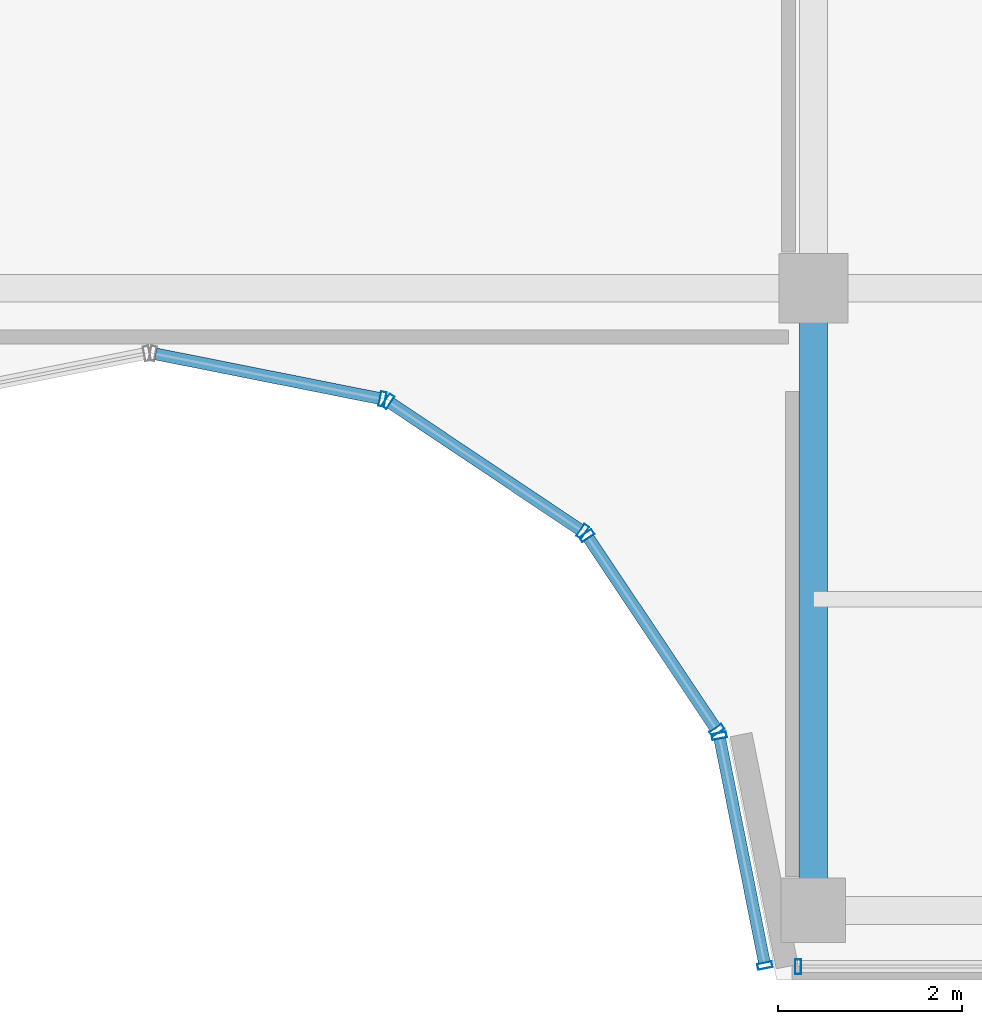
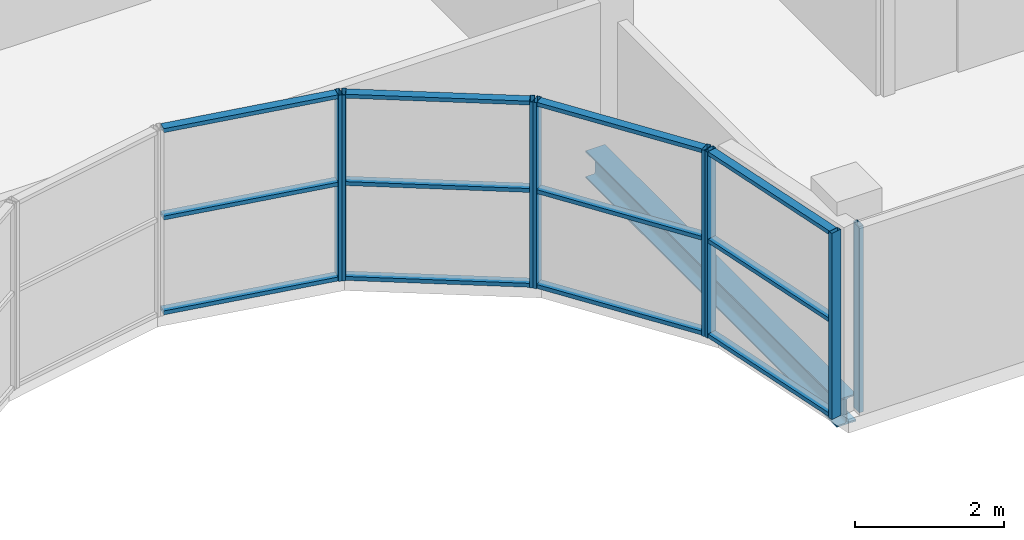
# One storey, part 7 of 28: 20 members, 1 beam, 5 elements without a shape of their own.
"""IFC4 building model written with IfcOpenShell, lengths in metres."""

import ifcopenshell
import ifcopenshell.guid

model = None  # the IFC model being written
_history = None  # IfcOwnerHistory: only IFC2X3 demands one
_inside = {}  # id of a spatial element -> (the spatial element, [elements in it])
_under = {}  # id of a project, library or spatial element -> (it, [spatial elements below it])
_declared = {}  # id of a project -> (the project, [libraries it declares])
_typed = {}  # id of a type object -> (the type object, [elements of that type])
_made_of = {}  # id of a material, layer set ... -> (it, [elements and type objects made of it])


def new_model(schema):
    """Start an empty IFC model of exactly this schema.

    Asked for "IFC4X3", IfcOpenShell would pick the latest addendum, in which some entities
    have other attributes; the version numbers below select the first issue.
    IFC2X3 requires an IfcOwnerHistory on every rooted entity: one is made here for all.
    """
    global model, _history
    if schema == "IFC4X3":
        model = ifcopenshell.file(schema_version=(4, 3, 0, 0))
    else:
        model = ifcopenshell.file(schema=schema)
    _inside.clear()
    _under.clear()
    _declared.clear()
    _typed.clear()
    _made_of.clear()
    _history = None
    if model.schema == "IFC2X3":
        org = make("IfcOrganization", Name="unknown")
        user = make(
            "IfcPersonAndOrganization",
            ThePerson=make("IfcPerson", FamilyName="unknown"),
            TheOrganization=org,
        )
        app = make(
            "IfcApplication",
            ApplicationDeveloper=org,
            Version="unknown",
            ApplicationFullName="unknown",
            ApplicationIdentifier="unknown",
        )
        _history = make(
            "IfcOwnerHistory",
            OwningUser=user,
            OwningApplication=app,
            ChangeAction="ADDED",
            CreationDate=0,
        )
    return model


def make(cls, **values):
    """One entity of the class cls with the attributes given. An attribute that is None is left unset."""
    return model.create_entity(
        cls, **{name: value for name, value in values.items() if value is not None}
    )


def rooted(cls, **values):
    """An entity with a GlobalId (a new one), such as an element, a storey or a relation."""
    return make(cls, GlobalId=ifcopenshell.guid.new(), OwnerHistory=_history, **values)


def si_unit(unit_type, name, prefix=None):
    """IfcSIUnit, for example si_unit("LENGTHUNIT", "METRE", prefix="MILLI")."""
    return make("IfcSIUnit", UnitType=unit_type, Prefix=prefix, Name=name)


def assignment(units):
    """IfcUnitAssignment: the units of a project."""
    return None if units is None else make("IfcUnitAssignment", Units=units)


def point(xyz):
    """IfcCartesianPoint."""
    return None if xyz is None else make("IfcCartesianPoint", Coordinates=xyz)


def direction(xyz):
    """IfcDirection."""
    return None if xyz is None else make("IfcDirection", DirectionRatios=xyz)


def frame(location, z_axis=None, x_axis=None):
    """IfcAxis2Placement3D, a coordinate frame: its origin and axes. An axis left out is left unset."""
    return make(
        "IfcAxis2Placement3D",
        Location=point(location),
        Axis=direction(z_axis),
        RefDirection=direction(x_axis),
    )


def frame_2d(location, x_axis=None):
    """IfcAxis2Placement2D, a coordinate frame in the plane: its origin and x axis."""
    return make(
        "IfcAxis2Placement2D", Location=point(location), RefDirection=direction(x_axis)
    )


def origin():
    """The frame at (0, 0, 0) with its axes left unset."""
    return frame((0.0, 0.0, 0.0))


def origin_2d():
    """The frame at (0, 0) in the plane with its x axis left unset."""
    return frame_2d((0.0, 0.0))


def place(relative_to, where):
    """IfcLocalPlacement: puts the frame where relative to a parent placement (None: the world)."""
    return make(
        "IfcLocalPlacement", PlacementRelTo=relative_to, RelativePlacement=where
    )


def context(
    kind, dimensions, precision=None, world=None, true_north=None, identifier=None
):
    """IfcGeometricRepresentationContext, for example the 3D "Model" context."""
    return make(
        "IfcGeometricRepresentationContext",
        ContextIdentifier=identifier,
        ContextType=kind,
        CoordinateSpaceDimension=dimensions,
        Precision=precision,
        WorldCoordinateSystem=world,
        TrueNorth=true_north,
    )


def subcontext(parent, identifier, kind, view, scale=None):
    """IfcGeometricRepresentationSubContext, for example "Body" below "Model"."""
    return make(
        "IfcGeometricRepresentationSubContext",
        ContextIdentifier=identifier,
        ContextType=kind,
        ParentContext=parent,
        TargetScale=scale,
        TargetView=view,
    )


def project(units=None, contexts=None):
    """IfcProject with its units and contexts."""
    return rooted(
        "IfcProject",
        Name="project",
        RepresentationContexts=contexts,
        UnitsInContext=assignment(units),
    )


def spatial(cls, under=None, at=None, **own):
    """A site, building, storey or space (cls), placed at a placement, below another one or the project."""
    s = rooted(cls, ObjectPlacement=at, **own)
    if under is not None:
        _under.setdefault(under.id(), (under, []))[1].append(s)
    return s


def profile(cls, at=None, kind="AREA", **sizes):
    """A parametric profile (cls). Its sizes go by their IFC names, for example OverallWidth=200.0."""
    return make(cls, ProfileType=kind, Position=at, **sizes)


def hollow_rectangle(**sizes):
    """IfcRectangleHollowProfileDef."""
    return profile("IfcRectangleHollowProfileDef", **sizes)


def i_section(**sizes):
    """IfcIShapeProfileDef."""
    return profile("IfcIShapeProfileDef", **sizes)


def extrude(swept, where, along, depth):
    """IfcExtrudedAreaSolid: the profile swept, set in the frame where, extruded along a direction by depth."""
    return make(
        "IfcExtrudedAreaSolid",
        SweptArea=swept,
        Position=where,
        ExtrudedDirection=direction(along),
        Depth=depth,
    )


def shape(context_of_items, identifier, shape_type, items):
    """IfcShapeRepresentation: the items that make up one representation, for example the "Body"."""
    return make(
        "IfcShapeRepresentation",
        ContextOfItems=context_of_items,
        RepresentationIdentifier=identifier,
        RepresentationType=shape_type,
        Items=items,
    )


def source(mapping_origin, context_of_items, identifier, shape_type, items):
    """IfcRepresentationMap: a shape defined once, which mapped items show again and again."""
    return make(
        "IfcRepresentationMap",
        MappingOrigin=mapping_origin,
        MappedRepresentation=shape(context_of_items, identifier, shape_type, items),
    )


def transform(
    local_origin,
    x_axis=None,
    y_axis=None,
    z_axis=None,
    scale=None,
    scale2=None,
    scale3=None,
    uniform=True,
):
    """IfcCartesianTransformationOperator3D, or its non-uniform kind. x_axis, y_axis, z_axis: its Axis1, 2, 3."""
    if uniform:
        return make(
            "IfcCartesianTransformationOperator3D",
            Axis1=direction(x_axis),
            Axis2=direction(y_axis),
            LocalOrigin=point(local_origin),
            Scale=scale,
            Axis3=direction(z_axis),
        )
    return make(
        "IfcCartesianTransformationOperator3DnonUniform",
        Axis1=direction(x_axis),
        Axis2=direction(y_axis),
        LocalOrigin=point(local_origin),
        Scale=scale,
        Axis3=direction(z_axis),
        Scale2=scale2,
        Scale3=scale3,
    )


def mapped(mapping_source, mapping_target):
    """IfcMappedItem: shows the shape of a source again, moved by a transform."""
    return make(
        "IfcMappedItem", MappingSource=mapping_source, MappingTarget=mapping_target
    )


def material(Name=None, Category=None):
    """IfcMaterial."""
    return make("IfcMaterial", Name=Name, Category=Category)


def layer(
    of_material, thickness, ventilated=None, Name=None, Category=None, Priority=None
):
    """IfcMaterialLayer: one layer of a wall or slab, of a material (None: an air gap)."""
    return make(
        "IfcMaterialLayer",
        Material=of_material,
        LayerThickness=thickness,
        IsVentilated=ventilated,
        Name=Name,
        Category=Category,
        Priority=Priority,
    )


def layer_set(layers, Name=None):
    """IfcMaterialLayerSet."""
    return make("IfcMaterialLayerSet", MaterialLayers=layers, LayerSetName=Name)


def material_profile(
    of_material, cross_section, Name=None, Category=None, Priority=None
):
    """IfcMaterialProfile: a cross section and its material."""
    return make(
        "IfcMaterialProfile",
        Name=Name,
        Material=of_material,
        Profile=cross_section,
        Priority=Priority,
        Category=Category,
    )


def profile_set(profiles, Name=None, composite=None):
    """IfcMaterialProfileSet."""
    return make(
        "IfcMaterialProfileSet",
        Name=Name,
        MaterialProfiles=profiles,
        CompositeProfile=composite,
    )


def made_of(thing, what):
    """Note that an element or type object is made of a material, layer set ...; save() writes the relation."""
    if what is not None:
        _made_of.setdefault(what.id(), (what, []))[1].append(thing)
    return thing


def type_object(cls, material=None, **own):
    """A type object (cls), such as IfcWallType, which elements share."""
    return made_of(rooted(cls, **own), material)


def element(
    cls,
    number,
    at=None,
    inside=None,
    cuts=None,
    type_object=None,
    material=None,
    context=None,
    identifier="Body",
    shape_type=None,
    held_by="IfcProductDefinitionShape",
    body=None,
    shapes=None,
    **own,
):
    """One element of the class cls, such as IfcWall. Its Tag is "e" and its number.

    at: its placement. inside: the storey or other place that contains it. cuts: it is an
    opening in that element (IfcRelVoidsElement). A single representation is given by context,
    identifier, shape_type and body (its items); several are given by shapes. held_by: the class
    of the entity that holds the representations. save() writes the other relations.
    """
    e = rooted(cls, Tag="e%d" % number, ObjectPlacement=at, **own)
    if body is not None:
        shapes = [shape(context, identifier, shape_type, body)]
    if shapes is not None:
        e.Representation = make(held_by, Representations=shapes)
    if inside is not None:
        _inside.setdefault(inside.id(), (inside, []))[1].append(e)
    if cuts is not None:
        rooted(
            "IfcRelVoidsElement", RelatingBuildingElement=cuts, RelatedOpeningElement=e
        )
    if type_object is not None:
        _typed.setdefault(type_object.id(), (type_object, []))[1].append(e)
    return made_of(e, material)


def aggregate(whole, parts):
    """IfcRelAggregates: a whole, such as a stair, and the parts it consists of."""
    return rooted("IfcRelAggregates", RelatingObject=whole, RelatedObjects=parts)


def save(model, path):
    """Write the relations noted so far, then the file.

    IfcRelAggregates (storeys below a building ...), IfcRelContainedInSpatialStructure (elements
    in a storey), IfcRelDefinesByType, IfcRelAssociatesMaterial and IfcRelDeclares: one each for
    every whole, place, type object, material and project.
    """
    for whole, parts in _under.values():
        aggregate(whole, parts)
    for where, things in _inside.values():
        rooted(
            "IfcRelContainedInSpatialStructure",
            RelatedElements=things,
            RelatingStructure=where,
        )
    for kind, things in _typed.values():
        rooted("IfcRelDefinesByType", RelatedObjects=things, RelatingType=kind)
    for what, things in _made_of.values():
        rooted("IfcRelAssociatesMaterial", RelatedObjects=things, RelatingMaterial=what)
    for by, libraries in _declared.values():
        rooted("IfcRelDeclares", RelatingContext=by, RelatedDefinitions=libraries)
    model.write(path)


model = new_model("IFC4")

# Units and contexts
model_context = context("Model", 3, precision=1e-05, world=origin(), true_north=direction((0.0, 1.0)))
body_context = subcontext(model_context, "Body", "Model", "MODEL_VIEW")
ifc_project = project(units=[si_unit("LENGTHUNIT", "METRE"), si_unit("AREAUNIT", "SQUARE_METRE"), si_unit("VOLUMEUNIT", "CUBIC_METRE"), si_unit("PLANEANGLEUNIT", "RADIAN"), si_unit("MASSUNIT", "GRAM", prefix="KILO")], contexts=[model_context])

# Site, building, storey
site_placement = place(None, origin())
site = spatial("IfcSite", under=ifc_project, at=site_placement, CompositionType="ELEMENT")
building_placement = place(site_placement, origin())
building = spatial("IfcBuilding", under=site, at=building_placement, Name="Zarnakvel Exchange Tower", CompositionType="ELEMENT")
storey_placement = place(building_placement, frame((0.0, 0.0, 261.699951171875)))
storey = spatial("IfcBuildingStorey", under=building, at=storey_placement, Name="L74", CompositionType="ELEMENT", Elevation=261.699951171875)

# Beam
ifc_material_1 = material(Name="Steel S355", Category="steel")
ifc_material_profile_1 = material_profile(ifc_material_1, i_section(OverallWidth=0.300048828125, OverallDepth=0.449951171875, WebThickness=0.013916015625, FlangeThickness=0.02587890625, FilletRadius=0.027099609375, at=origin_2d()))
ifc_profile_set_1 = profile_set([ifc_material_profile_1], Name="Steel S355")
beam_type = type_object("IfcBeamType", Name="G-07", PredefinedType="BEAM", material=ifc_profile_set_1)
beam_placement = place(storey_placement, frame((7.199951171875, -16.35009765625, -0.449951171875), z_axis=(0.0, 1.0, 0.0), x_axis=(-1.0, 0.0, 0.0)))
element("IfcBeam", 1, at=beam_placement, inside=storey, type_object=beam_type, Name="L74 Tower N-S Frame Beam", PredefinedType="BEAM", context=body_context, shape_type="SweptSolid", body=[
    extrude(i_section(OverallWidth=0.300048828125, OverallDepth=0.449951171875, WebThickness=0.013916015625, FlangeThickness=0.02587890625, FilletRadius=0.027099609375, at=origin_2d()), origin(), (0.0, 0.0, 1.0), 6.75),
])

# Curtain wall, members
ifc_material_2 = material(Name="Architectural Bronze Anodised Aluminium", Category="aluminium")
ifc_layer = layer(ifc_material_2, 0.159912109375)
ifc_layer_set = layer_set([ifc_layer], Name="Architectural Bronze Anodised Aluminium")
curtain_wall_type = type_object("IfcCurtainWallType", Name="CW-06", PredefinedType="NOTDEFINED", material=ifc_layer_set)
curtain_wall_1_placement = place(storey_placement, origin())
curtain_wall_1 = element("IfcCurtainWall", 2, at=curtain_wall_1_placement, inside=storey, type_object=curtain_wall_type, Name="L74 Curtain Wall CW-L74-NC5 (CW-06)", PredefinedType="NOTDEFINED")
ifc_material_profile_2 = material_profile(ifc_material_2, hollow_rectangle(XDim=0.1298828125, YDim=0.06494140625, WallThickness=0.00390625, at=origin_2d()))
ifc_profile_set_2 = profile_set([ifc_material_profile_2], Name="Architectural Bronze Anodised Aluminium")
member_type_1 = type_object("IfcMemberType", Name="CWT-06", PredefinedType="USERDEFINED", material=ifc_profile_set_2)
shared_shape_1 = source(origin(), body_context, "Body", "SweptSolid", [
    extrude(hollow_rectangle(XDim=0.1298828125, YDim=0.06494140625, WallThickness=0.00390625, at=origin_2d()), origin(), (0.0, 0.0, 1.0), 2.4765625),
])
member_1_placement = place(storey_placement, frame((0.063720703125, -10.312744140625, 0.032470703125), z_axis=(0.980784886983, -0.195092299863, 0.0), x_axis=(0.195092299863, 0.980784886983, 0.0)))
member_1 = element("IfcMember", 3, at=member_1_placement, type_object=member_type_1, Name="CW-06 transom 1.1", ObjectType="TRANSOM", PredefinedType="USERDEFINED", context=body_context, shape_type="MappedRepresentation", body=[
    mapped(shared_shape_1, transform((0.0, 0.0, 0.0), x_axis=(1.0, 0.0, 0.0), y_axis=(0.0, 1.0, 0.0), z_axis=(0.0, 0.0, 1.0), scale=1.0)),
])
member_2_placement = place(storey_placement, frame((0.063720703125, -10.312744140625, 1.588623046875), z_axis=(0.980784886983, -0.195092299863, 0.0), x_axis=(0.195092299863, 0.980784886983, 0.0)))
member_2 = element("IfcMember", 4, at=member_2_placement, type_object=member_type_1, Name="CW-06 transom 1.2", ObjectType="TRANSOM", PredefinedType="USERDEFINED", context=body_context, shape_type="MappedRepresentation", body=[
    mapped(shared_shape_1, transform((0.0, 0.0, 0.0), x_axis=(1.0, 0.0, 0.0), y_axis=(0.0, 1.0, 0.0), z_axis=(0.0, 0.0, 1.0), scale=1.0)),
])
member_3_placement = place(storey_placement, frame((0.063720703125, -10.312744140625, 3.0224609375), z_axis=(0.980784886983, -0.195092299863, 0.0), x_axis=(0.195092299863, 0.980784886983, 0.0)))
member_3 = element("IfcMember", 5, at=member_3_placement, type_object=member_type_1, Name="CW-06 transom 1.3", ObjectType="TRANSOM", PredefinedType="USERDEFINED", context=body_context, shape_type="MappedRepresentation", body=[
    mapped(shared_shape_1, transform((0.0, 0.0, 0.0), x_axis=(1.0, 0.0, 0.0), y_axis=(0.0, 1.0, 0.0), z_axis=(0.0, 0.0, 1.0), scale=1.0)),
])

curtain_wall_2_placement = place(storey_placement, origin())
curtain_wall_2 = element("IfcCurtainWall", 6, at=curtain_wall_2_placement, inside=storey, type_object=curtain_wall_type, Name="L74 Curtain Wall CW-L74-NC6 (CW-06)", PredefinedType="NOTDEFINED")
member_4_placement = place(storey_placement, frame((2.6103515625, -10.844482421875, 0.032470703125), z_axis=(0.831443136401, -0.555609854963, 0.0), x_axis=(0.555609854963, 0.831443136401, 0.0)))
member_4 = element("IfcMember", 7, at=member_4_placement, type_object=member_type_1, Name="CW-06 transom 1.1", ObjectType="TRANSOM", PredefinedType="USERDEFINED", context=body_context, shape_type="MappedRepresentation", body=[
    mapped(shared_shape_1, transform((0.0, 0.0, 0.0), x_axis=(1.0, 0.0, 0.0), y_axis=(0.0, 1.0, 0.0), z_axis=(0.0, 0.0, 1.0), scale=1.0)),
])
member_5_placement = place(storey_placement, frame((2.6103515625, -10.844482421875, 1.588623046875), z_axis=(0.831443136401, -0.555609854963, 0.0), x_axis=(0.555609854963, 0.831443136401, 0.0)))
member_5 = element("IfcMember", 8, at=member_5_placement, type_object=member_type_1, Name="CW-06 transom 1.2", ObjectType="TRANSOM", PredefinedType="USERDEFINED", context=body_context, shape_type="MappedRepresentation", body=[
    mapped(shared_shape_1, transform((0.0, 0.0, 0.0), x_axis=(1.0, 0.0, 0.0), y_axis=(0.0, 1.0, 0.0), z_axis=(0.0, 0.0, 1.0), scale=1.0)),
])
member_6_placement = place(storey_placement, frame((2.6103515625, -10.844482421875, 3.0224609375), z_axis=(0.831443136401, -0.555609854963, 0.0), x_axis=(0.555609854963, 0.831443136401, 0.0)))
member_6 = element("IfcMember", 9, at=member_6_placement, type_object=member_type_1, Name="CW-06 transom 1.3", ObjectType="TRANSOM", PredefinedType="USERDEFINED", context=body_context, shape_type="MappedRepresentation", body=[
    mapped(shared_shape_1, transform((0.0, 0.0, 0.0), x_axis=(1.0, 0.0, 0.0), y_axis=(0.0, 1.0, 0.0), z_axis=(0.0, 0.0, 1.0), scale=1.0)),
])

curtain_wall_3_placement = place(storey_placement, origin())
curtain_wall_3 = element("IfcCurtainWall", 10, at=curtain_wall_3_placement, inside=storey, type_object=curtain_wall_type, Name="L74 Curtain Wall CW-L74-NC7 (CW-06)", PredefinedType="NOTDEFINED")
member_7_placement = place(storey_placement, frame((4.759521484375, -12.310546875, 0.032470703125), z_axis=(0.555609854963, -0.831443136401, 0.0), x_axis=(0.831443136401, 0.555609854963, 0.0)))
member_7 = element("IfcMember", 11, at=member_7_placement, type_object=member_type_1, Name="CW-06 transom 1.1", ObjectType="TRANSOM", PredefinedType="USERDEFINED", context=body_context, shape_type="MappedRepresentation", body=[
    mapped(shared_shape_1, transform((0.0, 0.0, 0.0), x_axis=(1.0, 0.0, 0.0), y_axis=(0.0, 1.0, 0.0), z_axis=(0.0, 0.0, 1.0), scale=1.0)),
])
member_8_placement = place(storey_placement, frame((4.759521484375, -12.310546875, 1.588623046875), z_axis=(0.555609854963, -0.831443136401, 0.0), x_axis=(0.831443136401, 0.555609854963, 0.0)))
member_8 = element("IfcMember", 12, at=member_8_placement, type_object=member_type_1, Name="CW-06 transom 1.2", ObjectType="TRANSOM", PredefinedType="USERDEFINED", context=body_context, shape_type="MappedRepresentation", body=[
    mapped(shared_shape_1, transform((0.0, 0.0, 0.0), x_axis=(1.0, 0.0, 0.0), y_axis=(0.0, 1.0, 0.0), z_axis=(0.0, 0.0, 1.0), scale=1.0)),
])
member_9_placement = place(storey_placement, frame((4.759521484375, -12.310546875, 3.0224609375), z_axis=(0.555609854963, -0.831443136401, 0.0), x_axis=(0.831443136401, 0.555609854963, 0.0)))
member_9 = element("IfcMember", 13, at=member_9_placement, type_object=member_type_1, Name="CW-06 transom 1.3", ObjectType="TRANSOM", PredefinedType="USERDEFINED", context=body_context, shape_type="MappedRepresentation", body=[
    mapped(shared_shape_1, transform((0.0, 0.0, 0.0), x_axis=(1.0, 0.0, 0.0), y_axis=(0.0, 1.0, 0.0), z_axis=(0.0, 0.0, 1.0), scale=1.0)),
])

curtain_wall_4_placement = place(storey_placement, origin())
curtain_wall_4 = element("IfcCurtainWall", 14, at=curtain_wall_4_placement, inside=storey, type_object=curtain_wall_type, Name="L74 Curtain Wall CW-L74-NC8 (CW-06)", PredefinedType="NOTDEFINED")
member_10_placement = place(storey_placement, frame((6.18408203125, -14.4873046875, 0.032470703125), z_axis=(0.195092299863, -0.980784886983, 0.0), x_axis=(0.980784886983, 0.195092299863, 0.0)))
member_10 = element("IfcMember", 15, at=member_10_placement, type_object=member_type_1, Name="CW-06 transom 1.1", ObjectType="TRANSOM", PredefinedType="USERDEFINED", context=body_context, shape_type="MappedRepresentation", body=[
    mapped(shared_shape_1, transform((0.0, 0.0, 0.0), x_axis=(1.0, 0.0, 0.0), y_axis=(0.0, 1.0, 0.0), z_axis=(0.0, 0.0, 1.0), scale=1.0)),
])
member_11_placement = place(storey_placement, frame((6.18408203125, -14.4873046875, 1.588623046875), z_axis=(0.195092299863, -0.980784886983, 0.0), x_axis=(0.980784886983, 0.195092299863, 0.0)))
member_11 = element("IfcMember", 16, at=member_11_placement, type_object=member_type_1, Name="CW-06 transom 1.2", ObjectType="TRANSOM", PredefinedType="USERDEFINED", context=body_context, shape_type="MappedRepresentation", body=[
    mapped(shared_shape_1, transform((0.0, 0.0, 0.0), x_axis=(1.0, 0.0, 0.0), y_axis=(0.0, 1.0, 0.0), z_axis=(0.0, 0.0, 1.0), scale=1.0)),
])
member_12_placement = place(storey_placement, frame((6.18408203125, -14.4873046875, 3.0224609375), z_axis=(0.195092299863, -0.980784886983, 0.0), x_axis=(0.980784886983, 0.195092299863, 0.0)))
member_12 = element("IfcMember", 17, at=member_12_placement, type_object=member_type_1, Name="CW-06 transom 1.3", ObjectType="TRANSOM", PredefinedType="USERDEFINED", context=body_context, shape_type="MappedRepresentation", body=[
    mapped(shared_shape_1, transform((0.0, 0.0, 0.0), x_axis=(1.0, 0.0, 0.0), y_axis=(0.0, 1.0, 0.0), z_axis=(0.0, 0.0, 1.0), scale=1.0)),
])

# Member
ifc_material_profile_3 = material_profile(ifc_material_2, hollow_rectangle(XDim=0.159912109375, YDim=0.06494140625, WallThickness=0.00390625, at=origin_2d()))
ifc_profile_set_3 = profile_set([ifc_material_profile_3], Name="Architectural Bronze Anodised Aluminium")
member_type_2 = type_object("IfcMemberType", Name="CWM-06", PredefinedType="MULLION", material=ifc_profile_set_3)
shared_shape_2 = source(origin(), body_context, "Body", "SweptSolid", [
    extrude(hollow_rectangle(XDim=0.159912109375, YDim=0.06494140625, WallThickness=0.00390625, at=origin_2d()), origin(), (0.0, 0.0, 1.0), 3.054931640625),
])
member_13_placement = place(storey_placement, frame((2.5244140625, -10.80224609375, 0.0), z_axis=(0.0, 0.0, 1.0), x_axis=(0.195090448398, 0.980785255264, 0.0)))
member_13 = element("IfcMember", 18, at=member_13_placement, type_object=member_type_2, Name="CW-06 mullion 2", PredefinedType="MULLION", context=body_context, shape_type="MappedRepresentation", body=[
    mapped(shared_shape_2, transform((0.0, 0.0, 0.0), x_axis=(1.0, 0.0, 0.0), y_axis=(0.0, 1.0, 0.0), z_axis=(0.0, 0.0, 1.0), scale=1.0)),
])

aggregate(curtain_wall_1, [member_13, member_1, member_2, member_3])

member_14_placement = place(storey_placement, frame((2.583251953125, -10.82666015625, 0.0), z_axis=(0.0, 0.0, 1.0), x_axis=(0.555570233339, 0.831469612089, 0.0)))
member_14 = element("IfcMember", 19, at=member_14_placement, type_object=member_type_2, Name="CW-06 mullion 1", PredefinedType="MULLION", context=body_context, shape_type="MappedRepresentation", body=[
    mapped(shared_shape_2, transform((0.0, 0.0, 0.0), x_axis=(1.0, 0.0, 0.0), y_axis=(0.0, 1.0, 0.0), z_axis=(0.0, 0.0, 1.0), scale=1.0)),
])

member_15_placement = place(storey_placement, frame((4.696533203125, -12.238525390625, 0.0), z_axis=(0.0, 0.0, 1.0), x_axis=(0.555570233339, 0.831469612089, 0.0)))
member_15 = element("IfcMember", 20, at=member_15_placement, type_object=member_type_2, Name="CW-06 mullion 2", PredefinedType="MULLION", context=body_context, shape_type="MappedRepresentation", body=[
    mapped(shared_shape_2, transform((0.0, 0.0, 0.0), x_axis=(1.0, 0.0, 0.0), y_axis=(0.0, 1.0, 0.0), z_axis=(0.0, 0.0, 1.0), scale=1.0)),
])

aggregate(curtain_wall_2, [member_14, member_15, member_4, member_5, member_6])

member_16_placement = place(storey_placement, frame((4.741455078125, -12.283447265625, 0.0), z_axis=(0.0, 0.0, 1.0), x_axis=(0.831469612089, 0.555570233339, 0.0)))
member_16 = element("IfcMember", 21, at=member_16_placement, type_object=member_type_2, Name="CW-06 mullion 1", PredefinedType="MULLION", context=body_context, shape_type="MappedRepresentation", body=[
    mapped(shared_shape_2, transform((0.0, 0.0, 0.0), x_axis=(1.0, 0.0, 0.0), y_axis=(0.0, 1.0, 0.0), z_axis=(0.0, 0.0, 1.0), scale=1.0)),
])

member_17_placement = place(storey_placement, frame((6.153564453125, -14.396728515625, 0.0), z_axis=(0.0, 0.0, 1.0), x_axis=(0.831469612089, 0.555570233339, 0.0)))
member_17 = element("IfcMember", 22, at=member_17_placement, type_object=member_type_2, Name="CW-06 mullion 2", PredefinedType="MULLION", context=body_context, shape_type="MappedRepresentation", body=[
    mapped(shared_shape_2, transform((0.0, 0.0, 0.0), x_axis=(1.0, 0.0, 0.0), y_axis=(0.0, 1.0, 0.0), z_axis=(0.0, 0.0, 1.0), scale=1.0)),
])

aggregate(curtain_wall_3, [member_16, member_17, member_7, member_8, member_9])

member_18_placement = place(storey_placement, frame((6.177734375, -14.45556640625, 0.0), z_axis=(0.0, 0.0, 1.0), x_axis=(0.980785255264, 0.195090448398, 0.0)))
member_18 = element("IfcMember", 23, at=member_18_placement, type_object=member_type_2, Name="CW-06 mullion 1", PredefinedType="MULLION", context=body_context, shape_type="MappedRepresentation", body=[
    mapped(shared_shape_2, transform((0.0, 0.0, 0.0), x_axis=(1.0, 0.0, 0.0), y_axis=(0.0, 1.0, 0.0), z_axis=(0.0, 0.0, 1.0), scale=1.0)),
])

member_19_placement = place(storey_placement, frame((6.673583984375, -16.9482421875, 0.0), z_axis=(0.0, 0.0, 1.0), x_axis=(0.980785255264, 0.195090448398, 0.0)))
member_19 = element("IfcMember", 24, at=member_19_placement, type_object=member_type_2, Name="CW-06 mullion 2", PredefinedType="MULLION", context=body_context, shape_type="MappedRepresentation", body=[
    mapped(shared_shape_2, transform((0.0, 0.0, 0.0), x_axis=(1.0, 0.0, 0.0), y_axis=(0.0, 1.0, 0.0), z_axis=(0.0, 0.0, 1.0), scale=1.0)),
])

aggregate(curtain_wall_4, [member_18, member_19, member_10, member_11, member_12])

# Curtain wall, member
curtain_wall_5_placement = place(storey_placement, origin())
curtain_wall_5 = element("IfcCurtainWall", 25, at=curtain_wall_5_placement, inside=storey, type_object=curtain_wall_type, Name="L74 Curtain Wall CW-L74-NSE (CW-06)", PredefinedType="NOTDEFINED")
member_20_placement = place(storey_placement, frame((7.032470703125, -16.9599609375, 0.0), z_axis=(0.0, 0.0, 1.0), x_axis=(0.0, 1.0, 0.0)))
member_20 = element("IfcMember", 26, at=member_20_placement, type_object=member_type_2, Name="CW-06 mullion 1", PredefinedType="MULLION", context=body_context, shape_type="MappedRepresentation", body=[
    mapped(shared_shape_2, transform((0.0, 0.0, 0.0), x_axis=(1.0, 0.0, 0.0), y_axis=(0.0, 1.0, 0.0), z_axis=(0.0, 0.0, 1.0), scale=1.0)),
])
aggregate(curtain_wall_5, [member_20])

save(model, "model.ifc")
